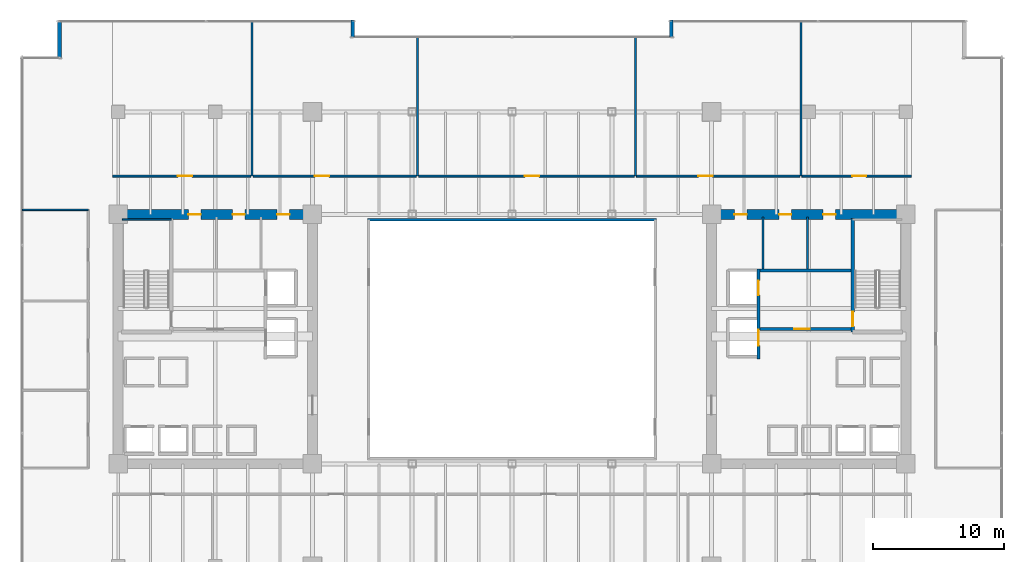
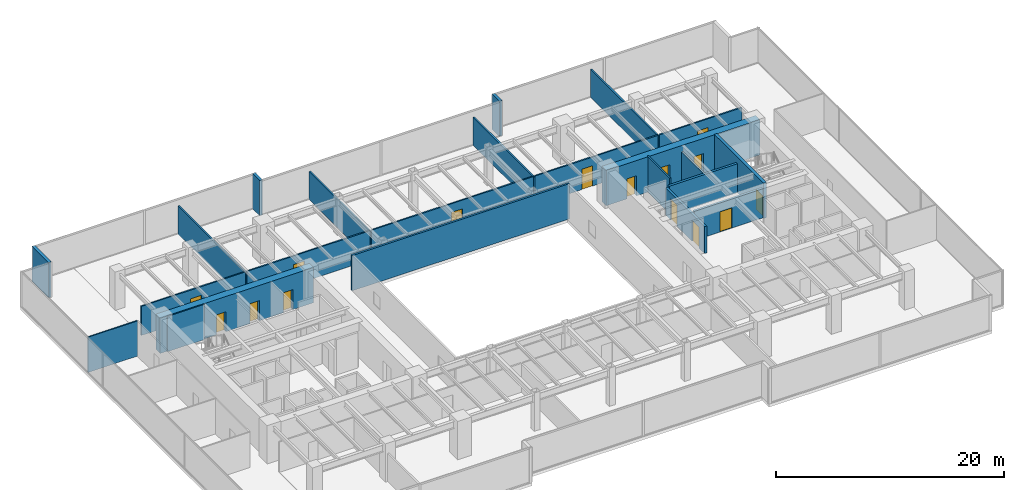
# One storey, part 31 of 37: 23 walls, 15 doors, 15 openings.
"""IFC4 building model written with IfcOpenShell, lengths in metres."""

from ifc_helpers import new_model, si_unit, direction, frame, frame_2d, origin, place, context, subcontext, project, spatial, rectangle, extrude, source, transform, mapped, material, layer, layer_set, type_object, type_shapes, element, fill, save


model = new_model("IFC4")

# Units and contexts
model_context = context("Model", 3, precision=1e-05, world=origin(), true_north=direction((0.0, 1.0)))
body_context = subcontext(model_context, "Body", "Model", "MODEL_VIEW")
ifc_project = project(units=[si_unit("LENGTHUNIT", "METRE"), si_unit("AREAUNIT", "SQUARE_METRE"), si_unit("VOLUMEUNIT", "CUBIC_METRE"), si_unit("PLANEANGLEUNIT", "RADIAN"), si_unit("MASSUNIT", "GRAM", prefix="KILO")], contexts=[model_context])

# Site, building, storey
site_placement = place(None, origin())
site = spatial("IfcSite", under=ifc_project, at=site_placement, CompositionType="ELEMENT")
building_placement = place(site_placement, origin())
building = spatial("IfcBuilding", under=site, at=building_placement, Name="Haelvirn Gate Laboratories", CompositionType="ELEMENT")
storey_placement = place(building_placement, frame((0.0, 0.0, 78.5)))
storey = spatial("IfcBuildingStorey", under=building, at=storey_placement, Name="L19", CompositionType="ELEMENT", Elevation=78.5)

# Walls
ifc_material_1 = material(Name="Thermally-broken bronze aluminium rainscreen & mineral wool", Category="aluminium")
ifc_layer_1 = layer(ifc_material_1, 0.280029296875, Name="EW-TERR-280")
ifc_layer_set_1 = layer_set([ifc_layer_1], Name="Thermally-broken bronze aluminium rainscreen & mineral wool")
wall_type_1 = type_object("IfcWallType", Name="EW-TERR-280", PredefinedType="STANDARD", material=ifc_layer_set_1)
for number, where, z_axis, x_axis, name in (
    (1, (49.5400390625, 48.60009765625, 0.0), (0.0, 0.0, 1.0), (0.0, -1.0, 0.0), "L19 Atrium Recess Bronze Return Wall 11"),
    (2, (25.260009765625, 47.31201171875, 0.0), (0.0, 0.0, 1.0), (0.0, 1.0, 0.0), "L19 Atrium Recess Bronze Return Wall 13"),
):
    element("IfcWall", number, at=place(storey_placement, frame(where, z_axis=z_axis, x_axis=x_axis)), inside=storey, type_object=wall_type_1, Name=name, PredefinedType="STANDARD", context=body_context, shape_type="SweptSolid", body=[
        extrude(rectangle(XDim=1.2880859375, YDim=0.280029296875, at=frame_2d((0.64404296875, 0.0))), origin(), (0.0, 0.0, 1.0), 3.780029296875),
    ])
wall_1_placement = place(storey_placement, frame((2.93994140625, 48.60009765625, 0.0), z_axis=(0.0, 0.0, 1.0), x_axis=(0.0, -1.0, 0.0)))
element("IfcWall", 3, at=wall_1_placement, inside=storey, type_object=wall_type_1, Name="L19 Atrium Recess Bronze Return Wall 15", PredefinedType="STANDARD", context=body_context, shape_type="SweptSolid", body=[
    extrude(rectangle(XDim=2.88818359375, YDim=0.280029296875, at=frame_2d((1.444091796875, 0.0))), origin(), (0.0, 0.0, 1.0), 3.780029296875),
])
ifc_material_2 = material(Name="Double-layer acoustic gypsum laboratory partition", Category="gypsum")
ifc_layer_2 = layer(ifc_material_2, 0.159912109375, Name="IW-ACOUST-160")
ifc_layer_set_2 = layer_set([ifc_layer_2], Name="Double-layer acoustic gypsum laboratory partition")
wall_type_2 = type_object("IfcWallType", Name="IW-ACOUST-160", PredefinedType="PARTITIONING", material=ifc_layer_set_2)
wall_2_placement = place(storey_placement, frame((17.60009765625, 36.7099609375, 0.0), z_axis=(0.0, 0.0, 1.0), x_axis=(0.0, 1.0, 0.0)))
element("IfcWall", 4, at=wall_2_placement, inside=storey, type_object=wall_type_2, Name="L19 Interior Wall IW-L19-NDIV-01", PredefinedType="PARTITIONING", context=body_context, shape_type="SweptSolid", body=[
    extrude(rectangle(XDim=11.780029296875, YDim=0.159912109375, at=frame_2d((5.89013671875, 0.0))), origin(), (0.0, 0.0, 1.0), 3.014892578125),
])
for number, where, z_axis, x_axis, name in (
    (5, (30.199951171875, 36.7099609375, 0.0), (0.0, 0.0, 1.0), (0.0, 1.0, 0.0), "L19 Interior Wall IW-L19-NDIV-02"),
    (6, (46.800048828125, 36.7099609375, 0.0), (0.0, 0.0, 1.0), (0.0, 1.0, 0.0), "L19 Interior Wall IW-L19-NDIV-03"),
):
    element("IfcWall", number, at=place(storey_placement, frame(where, z_axis=z_axis, x_axis=x_axis)), inside=storey, type_object=wall_type_2, Name=name, PredefinedType="PARTITIONING", context=body_context, shape_type="SweptSolid", body=[
        extrude(rectangle(XDim=10.580078125, YDim=0.159912109375, at=frame_2d((5.2900390625, 0.0))), origin(), (0.0, 0.0, 1.0), 3.014892578125),
    ])
wall_3_placement = place(storey_placement, frame((59.39990234375, 36.7099609375, 0.0), z_axis=(0.0, 0.0, 1.0), x_axis=(0.0, 1.0, 0.0)))
element("IfcWall", 7, at=wall_3_placement, inside=storey, type_object=wall_type_2, Name="L19 Interior Wall IW-L19-NDIV-04", PredefinedType="PARTITIONING", context=body_context, shape_type="SweptSolid", body=[
    extrude(rectangle(XDim=11.780029296875, YDim=0.159912109375, at=frame_2d((5.89013671875, 0.0))), origin(), (0.0, 0.0, 1.0), 3.014892578125),
])
ifc_material_3 = material(Name="Tempered fire-rated borosilicate glass & anodised aluminium", Category="aluminium")
ifc_layer_3 = layer(ifc_material_3, 0.195068359375, Name="IW-GLAZ-200")
ifc_layer_set_3 = layer_set([ifc_layer_3], Name="Tempered fire-rated borosilicate glass & anodised aluminium")
wall_type_3 = type_object("IfcWallType", Name="IW-GLAZ-200", PredefinedType="SOLIDWALL", material=ifc_layer_set_3)
wall_4_placement = place(storey_placement, frame((26.39990234375, 33.39990234375, 0.0), z_axis=(0.0, 0.0, 1.0), x_axis=(1.0, 0.0, 0.0)))
element("IfcWall", 8, at=wall_4_placement, inside=storey, type_object=wall_type_3, Name="L19 Interior Wall IW-L19-ATRIUM-N", PredefinedType="SOLIDWALL", context=body_context, shape_type="SweptSolid", body=[
    extrude(rectangle(XDim=22.0, YDim=0.195068359375, at=frame_2d((11.0, 0.0))), origin(), (0.0, 0.0, 1.0), 3.780029296875),
])
ifc_material_4 = material(Name="Lightweight acoustic gypsum board partition", Category="gypsum")
ifc_layer_4 = layer(ifc_material_4, 0.1201171875, Name="IW-PART-120")
ifc_layer_set_4 = layer_set([ifc_layer_4], Name="Lightweight acoustic gypsum board partition")
wall_type_4 = type_object("IfcWallType", Name="IW-PART-120", PredefinedType="PARTITIONING", material=ifc_layer_set_4)
wall_5_placement = place(storey_placement, frame((0.110107421875, 34.135009765625, 0.0), z_axis=(0.0, 0.0, 1.0), x_axis=(1.0, 0.0, 0.0)))
element("IfcWall", 9, at=wall_5_placement, inside=storey, type_object=wall_type_4, Name="L19 Interior Wall IW-L19-WCAP-N", PredefinedType="PARTITIONING", context=body_context, shape_type="SweptSolid", body=[
    extrude(rectangle(XDim=5.019775390625, YDim=0.1201171875, at=frame_2d((2.509765625, 0.0))), origin(), (0.0, 0.0, 1.0), 3.780029296875),
])

# Wall, opening, door
ifc_material_5 = material(Name="Acoustic mineral-wool gypsum board partition", Category="gypsum")
ifc_layer_5 = layer(ifc_material_5, 0.139892578125, Name="IW-PART-140")
ifc_layer_set_5 = layer_set([ifc_layer_5], Name="Acoustic mineral-wool gypsum board partition")
wall_type_5 = type_object("IfcWallType", Name="IW-PART-140", PredefinedType="PARTITIONING", material=ifc_layer_set_5)
wall_6_placement = place(storey_placement, frame((6.97998046875, 36.7099609375, 0.0), z_axis=(0.0, 0.0, 1.0), x_axis=(1.0, 0.0, 0.0)))
wall_6 = element("IfcWall", 10, at=wall_6_placement, inside=storey, type_object=wall_type_5, Name="L19 Interior Wall IW-L19-NCORR-01", PredefinedType="PARTITIONING", context=body_context, shape_type="SweptSolid", body=[
    extrude(rectangle(XDim=10.5400390625, YDim=0.139892578125, at=frame_2d((5.27001953125, 0.0))), origin(), (0.0, 0.0, 1.0), 3.114990234375),
])
opening_1_placement = place(wall_6_placement, frame((4.982177734375, 0.0, 0.0)))
opening_1 = element("IfcOpeningElement", 11, at=opening_1_placement, cuts=wall_6, Name="Opening D1", PredefinedType="OPENING", context=body_context, shape_type="SweptSolid", body=[
    extrude(rectangle(XDim=1.10009765625, YDim=2.179931640625, at=frame_2d((0.550048828125, 1.08984375))), frame((0.0, 0.080078125, 0.0), z_axis=(0.0, -1.0, 0.0), x_axis=(1.0, 0.0, 0.0)), (0.0, 0.0, 1.0), 0.159912109375),
])
ifc_material_6 = material(Name="Vision-panel acoustic solid-core timber lab door", Category="wood")
door_type_1 = type_object("IfcDoorType", Name="DR-LAB-1100", OperationType="NOTDEFINED", PredefinedType="DOOR", material=ifc_material_6)
shared_shape_1 = source(origin(), body_context, "Body", "SweptSolid", [
    extrude(rectangle(XDim=1.10009765625, YDim=2.179931640625, at=frame_2d((0.550048828125, 1.08984375))), frame((0.0, 0.02490234375, 0.0), z_axis=(0.0, -1.0, 0.0), x_axis=(1.0, 0.0, 0.0)), (0.0, 0.0, 1.0), 0.050048828125),
])
type_shapes(door_type_1, [shared_shape_1])
door_1_placement = place(opening_1_placement, origin())
door_1 = element("IfcDoor", 12, at=door_1_placement, inside=storey, type_object=door_type_1, Name="L19 Researcher Break Pantry Door N1", OperationType="SINGLE_SWING_LEFT", OverallHeight=2.179931640625, OverallWidth=1.10009765625, PredefinedType="DOOR", context=body_context, shape_type="MappedRepresentation", body=[
    mapped(shared_shape_1, transform((0.0, 0.0, 0.0), scale=1.0)),
])
fill(opening_1, door_1)

wall_7_placement = place(storey_placement, frame((17.679931640625, 36.7099609375, 0.0), z_axis=(0.0, 0.0, 1.0), x_axis=(1.0, 0.0, 0.0)))
wall_7 = element("IfcWall", 13, at=wall_7_placement, inside=storey, type_object=wall_type_5, Name="L19 Interior Wall IW-L19-NCORR-02", PredefinedType="PARTITIONING", context=body_context, shape_type="SweptSolid", body=[
    extrude(rectangle(XDim=12.440185546875, YDim=0.139892578125, at=frame_2d((6.22021484375, 0.0))), origin(), (0.0, 0.0, 1.0), 3.114990234375),
])
opening_2_placement = place(wall_7_placement, frame((4.71240234375, 0.0, 0.0)))
opening_2 = element("IfcOpeningElement", 14, at=opening_2_placement, cuts=wall_7, Name="Opening D1", PredefinedType="OPENING", context=body_context, shape_type="SweptSolid", body=[
    extrude(rectangle(XDim=1.10009765625, YDim=2.179931640625, at=frame_2d((0.550048828125, 1.08984375))), frame((0.0, 0.080078125, 0.0), z_axis=(0.0, -1.0, 0.0), x_axis=(1.0, 0.0, 0.0)), (0.0, 0.0, 1.0), 0.159912109375),
])
door_2_placement = place(opening_2_placement, origin())
door_2 = element("IfcDoor", 15, at=door_2_placement, inside=storey, type_object=door_type_1, Name="L19 Floor Hydration & Tea Servery Door N2", OperationType="SINGLE_SWING_RIGHT", OverallHeight=2.179931640625, OverallWidth=1.10009765625, PredefinedType="DOOR", context=body_context, shape_type="MappedRepresentation", body=[
    mapped(shared_shape_1, transform((0.0, 0.0, 0.0), scale=1.0)),
])
fill(opening_2, door_2)

wall_8_placement = place(storey_placement, frame((30.280029296875, 36.7099609375, 0.0), z_axis=(0.0, 0.0, 1.0), x_axis=(1.0, 0.0, 0.0)))
wall_8 = element("IfcWall", 16, at=wall_8_placement, inside=storey, type_object=wall_type_5, Name="L19 Interior Wall IW-L19-NCORR-03", PredefinedType="PARTITIONING", context=body_context, shape_type="SweptSolid", body=[
    extrude(rectangle(XDim=16.43994140625, YDim=0.139892578125, at=frame_2d((8.219970703125, 0.0))), origin(), (0.0, 0.0, 1.0), 3.114990234375),
])
opening_3_placement = place(wall_8_placement, frame((8.109130859375, 0.0, 0.0)))
opening_3 = element("IfcOpeningElement", 17, at=opening_3_placement, cuts=wall_8, Name="Opening D1", PredefinedType="OPENING", context=body_context, shape_type="SweptSolid", body=[
    extrude(rectangle(XDim=1.10009765625, YDim=2.179931640625, at=frame_2d((0.550048828125, 1.08984375))), frame((0.0, 0.080078125, 0.0), z_axis=(0.0, -1.0, 0.0), x_axis=(1.0, 0.0, 0.0)), (0.0, 0.0, 1.0), 0.159912109375),
])
door_3_placement = place(opening_3_placement, origin())
door_3 = element("IfcDoor", 18, at=door_3_placement, inside=storey, type_object=door_type_1, Name="L19 Bioinformatics Dry-Lab Workspace Door N3", OperationType="SINGLE_SWING_LEFT", OverallHeight=2.179931640625, OverallWidth=1.10009765625, PredefinedType="DOOR", context=body_context, shape_type="MappedRepresentation", body=[
    mapped(shared_shape_1, transform((0.0, 0.0, 0.0), scale=1.0)),
])
fill(opening_3, door_3)

wall_9_placement = place(storey_placement, frame((46.8798828125, 36.7099609375, 0.0), z_axis=(0.0, 0.0, 1.0), x_axis=(1.0, 0.0, 0.0)))
wall_9 = element("IfcWall", 19, at=wall_9_placement, inside=storey, type_object=wall_type_5, Name="L19 Interior Wall IW-L19-NCORR-04", PredefinedType="PARTITIONING", context=body_context, shape_type="SweptSolid", body=[
    extrude(rectangle(XDim=12.440185546875, YDim=0.139892578125, at=frame_2d((6.22021484375, 0.0))), origin(), (0.0, 0.0, 1.0), 3.114990234375),
])
opening_4_placement = place(wall_9_placement, frame((4.71240234375, 0.0, 0.0)))
opening_4 = element("IfcOpeningElement", 20, at=opening_4_placement, cuts=wall_9, Name="Opening D1", PredefinedType="OPENING", context=body_context, shape_type="SweptSolid", body=[
    extrude(rectangle(XDim=1.10009765625, YDim=2.179931640625, at=frame_2d((0.550048828125, 1.08984375))), frame((0.0, 0.080078125, 0.0), z_axis=(0.0, -1.0, 0.0), x_axis=(1.0, 0.0, 0.0)), (0.0, 0.0, 1.0), 0.159912109375),
])
door_4_placement = place(opening_4_placement, origin())
door_4 = element("IfcDoor", 21, at=door_4_placement, inside=storey, type_object=door_type_1, Name="L19 Translational Data Office Door N4", OperationType="SINGLE_SWING_RIGHT", OverallHeight=2.179931640625, OverallWidth=1.10009765625, PredefinedType="DOOR", context=body_context, shape_type="MappedRepresentation", body=[
    mapped(shared_shape_1, transform((0.0, 0.0, 0.0), scale=1.0)),
])
fill(opening_4, door_4)

wall_10_placement = place(storey_placement, frame((59.47998046875, 36.7099609375, 0.0), z_axis=(0.0, 0.0, 1.0), x_axis=(1.0, 0.0, 0.0)))
wall_10 = element("IfcWall", 22, at=wall_10_placement, inside=storey, type_object=wall_type_5, Name="L19 Interior Wall IW-L19-NCORR-05", PredefinedType="PARTITIONING", context=body_context, shape_type="SweptSolid", body=[
    extrude(rectangle(XDim=8.340087890625, YDim=0.139892578125, at=frame_2d((4.169921875, 0.0))), origin(), (0.0, 0.0, 1.0), 3.114990234375),
])
opening_5_placement = place(wall_10_placement, frame((3.816162109375, 0.0, 0.0)))
opening_5 = element("IfcOpeningElement", 23, at=opening_5_placement, cuts=wall_10, Name="Opening D1", PredefinedType="OPENING", context=body_context, shape_type="SweptSolid", body=[
    extrude(rectangle(XDim=1.10009765625, YDim=2.179931640625, at=frame_2d((0.550048828125, 1.08984375))), frame((0.0, 0.080078125, 0.0), z_axis=(0.0, -1.0, 0.0), x_axis=(1.0, 0.0, 0.0)), (0.0, 0.0, 1.0), 0.159912109375),
])
door_5_placement = place(opening_5_placement, origin())
door_5 = element("IfcDoor", 24, at=door_5_placement, inside=storey, type_object=door_type_1, Name="L19 Genomics Assay Laboratory Door N5", OperationType="SINGLE_SWING_LEFT", OverallHeight=2.179931640625, OverallWidth=1.10009765625, PredefinedType="DOOR", context=body_context, shape_type="MappedRepresentation", body=[
    mapped(shared_shape_1, transform((0.0, 0.0, 0.0), scale=1.0)),
])
fill(opening_5, door_5)

# Walls
ifc_material_7 = material(Name="Cement-board restroom plumbing chase wall", Category="gypsum")
ifc_layer_6 = layer(ifc_material_7, 0.155029296875, Name="IW-PLUMB-160")
ifc_layer_set_6 = layer_set([ifc_layer_6], Name="Cement-board restroom plumbing chase wall")
wall_type_6 = type_object("IfcWallType", Name="IW-PLUMB-160", PredefinedType="PLUMBINGWALL", material=ifc_layer_set_6)
wall_11_placement = place(storey_placement, frame((59.909912109375, 29.64990234375, 0.0), z_axis=(0.0, 0.0, 1.0), x_axis=(0.0, 1.0, 0.0)))
element("IfcWall", 25, at=wall_11_placement, inside=storey, type_object=wall_type_6, Name="L19 Interior Wall IW-L19-E-CDIV-1", PredefinedType="PLUMBINGWALL", context=body_context, shape_type="SweptSolid", body=[
    extrude(rectangle(XDim=3.93017578125, YDim=0.155029296875, at=frame_2d((1.965087890625, 0.0))), origin(), (0.0, 0.0, 1.0), 3.114990234375),
])
wall_12_placement = place(storey_placement, frame((56.510009765625, 29.64990234375, 0.0), z_axis=(0.0, 0.0, 1.0), x_axis=(0.0, 1.0, 0.0)))
element("IfcWall", 26, at=wall_12_placement, inside=storey, type_object=wall_type_6, Name="L19 Interior Wall IW-L19-E-CDIV-2", PredefinedType="PLUMBINGWALL", context=body_context, shape_type="SweptSolid", body=[
    extrude(rectangle(XDim=3.93017578125, YDim=0.155029296875, at=frame_2d((1.965087890625, 0.0))), origin(), (0.0, 0.0, 1.0), 3.780029296875),
])

# Wall, opening, door
ifc_material_8 = material(Name="Concrete C40/50", Category="concrete")
ifc_layer_7 = layer(ifc_material_8, 0.239990234375, Name="IW-SHAFT-240")
ifc_layer_set_7 = layer_set([ifc_layer_7], Name="Concrete C40/50")
wall_type_7 = type_object("IfcWallType", Name="IW-SHAFT-240", PredefinedType="SOLIDWALL", material=ifc_layer_set_7)
wall_13_placement = place(storey_placement, frame((56.280029296875, 25.080078125, 0.0), z_axis=(0.0, 0.0, 1.0), x_axis=(1.0, 0.0, 0.0)))
wall_13 = element("IfcWall", 27, at=wall_13_placement, inside=storey, type_object=wall_type_7, Name="L19 Interior Wall IW-L19-E-FF-S", PredefinedType="SOLIDWALL", context=body_context, shape_type="SweptSolid", body=[
    extrude(rectangle(XDim=6.919921875, YDim=0.239990234375, at=frame_2d((3.4599609375, 0.0))), origin(), (0.0, 0.0, 1.0), 3.114990234375),
])
opening_6_placement = place(wall_13_placement, frame((2.60009765625, 0.0, 0.0)))
opening_6 = element("IfcOpeningElement", 28, at=opening_6_placement, cuts=wall_13, Name="Opening FD2", PredefinedType="OPENING", context=body_context, shape_type="SweptSolid", body=[
    extrude(rectangle(XDim=1.199951171875, YDim=2.159912109375, at=frame_2d((0.60009765625, 1.080078125))), frame((0.0, 0.1298828125, 0.0), z_axis=(0.0, -1.0, 0.0), x_axis=(1.0, 0.0, 0.0)), (0.0, 0.0, 1.0), 0.260009765625),
])
ifc_material_9 = material(Name="Fire-rated steel SM355 compartment door", Category="steel")
door_type_2 = type_object("IfcDoorType", Name="DR-FD-1200", OperationType="NOTDEFINED", PredefinedType="DOOR", material=ifc_material_9)
shared_shape_2 = source(origin(), body_context, "Body", "SweptSolid", [
    extrude(rectangle(XDim=1.199951171875, YDim=2.159912109375, at=frame_2d((0.60009765625, 1.080078125))), frame((0.0, 0.02490234375, 0.0), z_axis=(0.0, -1.0, 0.0), x_axis=(1.0, 0.0, 0.0)), (0.0, 0.0, 1.0), 0.050048828125),
])
type_shapes(door_type_2, [shared_shape_2])
door_6_placement = place(opening_6_placement, origin())
door_6 = element("IfcDoor", 29, at=door_6_placement, inside=storey, type_object=door_type_2, Name="L19 East Firefighting Lobby Door", OperationType="SINGLE_SWING_LEFT", OverallHeight=2.159912109375, OverallWidth=1.199951171875, PredefinedType="DOOR", context=body_context, shape_type="MappedRepresentation", body=[
    mapped(shared_shape_2, transform((0.0, 0.0, 0.0), scale=1.0)),
])
fill(opening_6, door_6)

# Wall
wall_14_placement = place(storey_placement, frame((56.280029296875, 29.52001953125, 0.0), z_axis=(0.0, 0.0, 1.0), x_axis=(1.0, 0.0, 0.0)))
element("IfcWall", 30, at=wall_14_placement, inside=storey, type_object=wall_type_7, Name="L19 Interior Wall IW-L19-E-FF-N", PredefinedType="SOLIDWALL", context=body_context, shape_type="SweptSolid", body=[
    extrude(rectangle(XDim=6.919921875, YDim=0.239990234375, at=frame_2d((3.4599609375, 0.0))), origin(), (0.0, 0.0, 1.0), 3.114990234375),
])

# Wall, openings, doors
wall_15_placement = place(storey_placement, frame((56.159912109375, 22.800048828125, 0.0), z_axis=(0.0, 0.0, 1.0), x_axis=(0.0, 1.0, 0.0)))
wall_15 = element("IfcWall", 31, at=wall_15_placement, inside=storey, type_object=wall_type_7, Name="L19 Interior Wall IW-L19-E-FF-E", PredefinedType="SOLIDWALL", context=body_context, shape_type="SweptSolid", body=[
    extrude(rectangle(XDim=6.849853515625, YDim=0.239990234375, at=frame_2d((3.4248046875, 0.0))), origin(), (0.0, 0.0, 1.0), 2.864990234375),
])
opening_7_placement = place(wall_15_placement, frame((4.85009765625, 0.0, 0.0)))
opening_7 = element("IfcOpeningElement", 32, at=opening_7_placement, cuts=wall_15, Name="Opening LD2", PredefinedType="OPENING", context=body_context, shape_type="SweptSolid", body=[
    extrude(rectangle(XDim=1.10009765625, YDim=2.219970703125, at=frame_2d((0.550048828125, 1.10986328125))), frame((0.0, 0.1298828125, 0.0), z_axis=(0.0, -1.0, 0.0), x_axis=(1.0, 0.0, 0.0)), (0.0, 0.0, 1.0), 0.260009765625),
])
opening_8_placement = place(wall_15_placement, frame((1.0, 0.0, 0.0)))
opening_8 = element("IfcOpeningElement", 33, at=opening_8_placement, cuts=wall_15, Name="Opening LD1", PredefinedType="OPENING", context=body_context, shape_type="SweptSolid", body=[
    extrude(rectangle(XDim=1.199951171875, YDim=2.219970703125, at=frame_2d((0.60009765625, 1.10986328125))), frame((0.0, 0.1298828125, 0.0), z_axis=(0.0, -1.0, 0.0), x_axis=(1.0, 0.0, 0.0)), (0.0, 0.0, 1.0), 0.260009765625),
])
ifc_material_10 = material(Name="Bronze stainless 316L sliding lift landing door")
door_type_3 = type_object("IfcDoorType", Name="DR-LD-1100", OperationType="NOTDEFINED", PredefinedType="USERDEFINED", material=ifc_material_10)
shared_shape_3 = source(origin(), body_context, "Body", "SweptSolid", [
    extrude(rectangle(XDim=1.10009765625, YDim=2.219970703125, at=frame_2d((0.550048828125, 1.10986328125))), frame((0.0, 0.02490234375, 0.0), z_axis=(0.0, -1.0, 0.0), x_axis=(1.0, 0.0, 0.0)), (0.0, 0.0, 1.0), 0.050048828125),
])
type_shapes(door_type_3, [shared_shape_3])
door_7_placement = place(opening_7_placement, origin())
door_7 = element("IfcDoor", 34, at=door_7_placement, inside=storey, type_object=door_type_3, Name="L19 Firefighting Lift FL2 Landing Door", ObjectType="LANDING_DOOR", OperationType="SLIDING_TO_RIGHT", OverallHeight=2.219970703125, OverallWidth=1.10009765625, PredefinedType="USERDEFINED", context=body_context, shape_type="MappedRepresentation", body=[
    mapped(shared_shape_3, transform((0.0, 0.0, 0.0), scale=1.0)),
])
fill(opening_7, door_7)
ifc_material_11 = material(Name="Stainless steel 316L sliding goods landing door", Category="steel")
door_type_4 = type_object("IfcDoorType", Name="DR-LD-1200", OperationType="NOTDEFINED", PredefinedType="USERDEFINED", material=ifc_material_11)
shared_shape_4 = source(origin(), body_context, "Body", "SweptSolid", [
    extrude(rectangle(XDim=1.199951171875, YDim=2.219970703125, at=frame_2d((0.60009765625, 1.10986328125))), frame((0.0, 0.02490234375, 0.0), z_axis=(0.0, -1.0, 0.0), x_axis=(1.0, 0.0, 0.0)), (0.0, 0.0, 1.0), 0.050048828125),
])
type_shapes(door_type_4, [shared_shape_4])
door_8_placement = place(opening_8_placement, origin())
door_8 = element("IfcDoor", 35, at=door_8_placement, inside=storey, type_object=door_type_4, Name="L19 Service Lift SL2 Landing Door", ObjectType="LANDING_DOOR", OperationType="SLIDING_TO_LEFT", OverallHeight=2.219970703125, OverallWidth=1.199951171875, PredefinedType="USERDEFINED", context=body_context, shape_type="MappedRepresentation", body=[
    mapped(shared_shape_4, transform((0.0, 0.0, 0.0), scale=1.0)),
])
fill(opening_8, door_8)

ifc_material_12 = material(Name="Concrete C70/85", Category="concrete")
ifc_layer_8 = layer(ifc_material_12, 0.75, Name="SW-CORE-750")
ifc_layer_set_8 = layer_set([ifc_layer_8], Name="Concrete C70/85")
wall_type_8 = type_object("IfcWallType", Name="SW-CORE-750", PredefinedType="SHEAR", material=ifc_layer_set_8)
wall_16_placement = place(storey_placement, frame((7.02490234375, 33.800048828125, 0.0), z_axis=(0.0, 0.0, 1.0), x_axis=(1.0, 0.0, 0.0)))
wall_16 = element("IfcWall", 36, at=wall_16_placement, inside=storey, type_object=wall_type_8, Name="L19 W Core Shear Wall N", PredefinedType="SHEAR", context=body_context, shape_type="SweptSolid", body=[
    extrude(rectangle(XDim=15.550048828125, YDim=0.75, at=frame_2d((7.77490234375, 0.0))), origin(), (0.0, 0.0, 1.0), 3.780029296875),
])
opening_9_placement = place(wall_16_placement, frame((5.72509765625, 0.0, 0.0)))
opening_9 = element("IfcOpeningElement", 37, at=opening_9_placement, cuts=wall_16, Name="Opening FD4", PredefinedType="OPENING", context=body_context, shape_type="SweptSolid", body=[
    extrude(rectangle(XDim=0.949951171875, YDim=2.14990234375, at=frame_2d((0.47509765625, 1.074951171875))), frame((0.0, 0.385009765625, 0.0), z_axis=(0.0, -1.0, 0.0), x_axis=(1.0, 0.0, 0.0)), (0.0, 0.0, 1.0), 0.77001953125),
])
opening_10_placement = place(wall_16_placement, frame((9.090087890625, 0.0, 0.0)))
opening_10 = element("IfcOpeningElement", 38, at=opening_10_placement, cuts=wall_16, Name="Opening FD4", PredefinedType="OPENING", context=body_context, shape_type="SweptSolid", body=[
    extrude(rectangle(XDim=0.949951171875, YDim=2.14990234375, at=frame_2d((0.47509765625, 1.074951171875))), frame((0.0, 0.385009765625, 0.0), z_axis=(0.0, -1.0, 0.0), x_axis=(1.0, 0.0, 0.0)), (0.0, 0.0, 1.0), 0.77001953125),
])
opening_11_placement = place(wall_16_placement, frame((12.489990234375, 0.0, 0.0)))
opening_11 = element("IfcOpeningElement", 39, at=opening_11_placement, cuts=wall_16, Name="Opening FD4", PredefinedType="OPENING", context=body_context, shape_type="SweptSolid", body=[
    extrude(rectangle(XDim=0.949951171875, YDim=2.14990234375, at=frame_2d((0.47509765625, 1.074951171875))), frame((0.0, 0.385009765625, 0.0), z_axis=(0.0, -1.0, 0.0), x_axis=(1.0, 0.0, 0.0)), (0.0, 0.0, 1.0), 0.77001953125),
])
ifc_material_13 = material(Name="Fire-rated steel SM355 core service door", Category="steel")
door_type_5 = type_object("IfcDoorType", Name="DR-FD-950", OperationType="NOTDEFINED", PredefinedType="DOOR", material=ifc_material_13)
shared_shape_5 = source(origin(), body_context, "Body", "SweptSolid", [
    extrude(rectangle(XDim=0.949951171875, YDim=2.14990234375, at=frame_2d((0.47509765625, 1.074951171875))), frame((0.0, 0.02490234375, 0.0), z_axis=(0.0, -1.0, 0.0), x_axis=(1.0, 0.0, 0.0)), (0.0, 0.0, 1.0), 0.050048828125),
])
type_shapes(door_type_5, [shared_shape_5])
door_9_placement = place(opening_9_placement, origin())
door_9 = element("IfcDoor", 40, at=door_9_placement, inside=storey, type_object=door_type_5, Name="L19 Male Restroom Fire Door", OperationType="SINGLE_SWING_RIGHT", OverallHeight=2.14990234375, OverallWidth=0.949951171875, PredefinedType="DOOR", context=body_context, shape_type="MappedRepresentation", body=[
    mapped(shared_shape_5, transform((0.0, 0.0, 0.0), scale=1.0)),
])
fill(opening_9, door_9)
door_10_placement = place(opening_10_placement, origin())
door_10 = element("IfcDoor", 41, at=door_10_placement, inside=storey, type_object=door_type_5, Name="L19 Female Restroom Fire Door", OperationType="SINGLE_SWING_LEFT", OverallHeight=2.14990234375, OverallWidth=0.949951171875, PredefinedType="DOOR", context=body_context, shape_type="MappedRepresentation", body=[
    mapped(shared_shape_5, transform((0.0, 0.0, 0.0), scale=1.0)),
])
fill(opening_10, door_10)
door_11_placement = place(opening_11_placement, origin())
door_11 = element("IfcDoor", 42, at=door_11_placement, inside=storey, type_object=door_type_5, Name="L19 Accessible Restroom Fire Door", OperationType="SINGLE_SWING_RIGHT", OverallHeight=2.14990234375, OverallWidth=0.949951171875, PredefinedType="DOOR", context=body_context, shape_type="MappedRepresentation", body=[
    mapped(shared_shape_5, transform((0.0, 0.0, 0.0), scale=1.0)),
])
fill(opening_11, door_11)

wall_17_placement = place(storey_placement, frame((52.22509765625, 33.800048828125, 0.0), z_axis=(0.0, 0.0, 1.0), x_axis=(1.0, 0.0, 0.0)))
wall_17 = element("IfcWall", 43, at=wall_17_placement, inside=storey, type_object=wall_type_8, Name="L19 E Core Shear Wall N", PredefinedType="SHEAR", context=body_context, shape_type="SweptSolid", body=[
    extrude(rectangle(XDim=15.5498046875, YDim=0.75, at=frame_2d((7.77490234375, 0.0))), origin(), (0.0, 0.0, 1.0), 3.780029296875),
])
opening_12_placement = place(wall_17_placement, frame((8.875, 0.0, 0.0)))
opening_12 = element("IfcOpeningElement", 44, at=opening_12_placement, cuts=wall_17, Name="Opening FD4", PredefinedType="OPENING", context=body_context, shape_type="SweptSolid", body=[
    extrude(rectangle(XDim=0.949951171875, YDim=2.14990234375, at=frame_2d((0.47509765625, 1.074951171875))), frame((0.0, 0.385009765625, 0.0), z_axis=(0.0, -1.0, 0.0), x_axis=(1.0, 0.0, 0.0)), (0.0, 0.0, 1.0), 0.77001953125),
])
opening_13_placement = place(wall_17_placement, frame((5.510009765625, 0.0, 0.0)))
opening_13 = element("IfcOpeningElement", 45, at=opening_13_placement, cuts=wall_17, Name="Opening FD4", PredefinedType="OPENING", context=body_context, shape_type="SweptSolid", body=[
    extrude(rectangle(XDim=0.949951171875, YDim=2.14990234375, at=frame_2d((0.47509765625, 1.074951171875))), frame((0.0, 0.385009765625, 0.0), z_axis=(0.0, -1.0, 0.0), x_axis=(1.0, 0.0, 0.0)), (0.0, 0.0, 1.0), 0.77001953125),
])
opening_14_placement = place(wall_17_placement, frame((2.110107421875, 0.0, 0.0)))
opening_14 = element("IfcOpeningElement", 46, at=opening_14_placement, cuts=wall_17, Name="Opening FD4", PredefinedType="OPENING", context=body_context, shape_type="SweptSolid", body=[
    extrude(rectangle(XDim=0.949951171875, YDim=2.14990234375, at=frame_2d((0.47509765625, 1.074951171875))), frame((0.0, 0.385009765625, 0.0), z_axis=(0.0, -1.0, 0.0), x_axis=(1.0, 0.0, 0.0)), (0.0, 0.0, 1.0), 0.77001953125),
])
door_12_placement = place(opening_12_placement, origin())
door_12 = element("IfcDoor", 47, at=door_12_placement, inside=storey, type_object=door_type_5, Name="L19 Male Restroom Fire Door", OperationType="SINGLE_SWING_RIGHT", OverallHeight=2.14990234375, OverallWidth=0.949951171875, PredefinedType="DOOR", context=body_context, shape_type="MappedRepresentation", body=[
    mapped(shared_shape_5, transform((0.0, 0.0, 0.0), scale=1.0)),
])
fill(opening_12, door_12)
door_13_placement = place(opening_13_placement, origin())
door_13 = element("IfcDoor", 48, at=door_13_placement, inside=storey, type_object=door_type_5, Name="L19 Female Restroom Fire Door", OperationType="SINGLE_SWING_LEFT", OverallHeight=2.14990234375, OverallWidth=0.949951171875, PredefinedType="DOOR", context=body_context, shape_type="MappedRepresentation", body=[
    mapped(shared_shape_5, transform((0.0, 0.0, 0.0), scale=1.0)),
])
fill(opening_13, door_13)
door_14_placement = place(opening_14_placement, origin())
door_14 = element("IfcDoor", 49, at=door_14_placement, inside=storey, type_object=door_type_5, Name="L19 Accessible Restroom Fire Door", OperationType="SINGLE_SWING_RIGHT", OverallHeight=2.14990234375, OverallWidth=0.949951171875, PredefinedType="DOOR", context=body_context, shape_type="MappedRepresentation", body=[
    mapped(shared_shape_5, transform((0.0, 0.0, 0.0), scale=1.0)),
])
fill(opening_14, door_14)

# Wall
ifc_material_14 = material(Name="Concrete C50/60", Category="concrete")
ifc_layer_9 = layer(ifc_material_14, 0.1201171875, Name="SW-LINER-120")
ifc_layer_set_9 = layer_set([ifc_layer_9], Name="Concrete C50/60")
wall_type_9 = type_object("IfcWallType", Name="SW-LINER-120", PredefinedType="SOLIDWALL", material=ifc_layer_set_9)
wall_18_placement = place(storey_placement, frame((7.72998046875, 33.39990234375, 0.0), z_axis=(0.0, 0.0, 1.0), x_axis=(1.0, 0.0, 0.0)))
element("IfcWall", 50, at=wall_18_placement, inside=storey, type_object=wall_type_9, Name="L19 W Core Stair Shaft Liner Wall N", PredefinedType="SOLIDWALL", context=body_context, shape_type="SweptSolid", body=[
    extrude(rectangle(XDim=3.719970703125, YDim=0.1201171875, at=frame_2d((1.85986328125, 0.0))), origin(), (0.0, 0.0, 1.0), 3.780029296875),
])

# Wall, opening, door
ifc_layer_10 = layer(ifc_material_14, 0.300048828125, Name="SW-STAIR-300")
ifc_layer_set_10 = layer_set([ifc_layer_10], Name="Concrete C50/60")
wall_type_10 = type_object("IfcWallType", Name="SW-STAIR-300", PredefinedType="SHEAR", material=ifc_layer_set_10)
wall_19_placement = place(storey_placement, frame((63.35009765625, 24.85009765625, 0.0), z_axis=(0.0, 0.0, 1.0), x_axis=(0.0, 1.0, 0.0)))
wall_19 = element("IfcWall", 51, at=wall_19_placement, inside=storey, type_object=wall_type_10, Name="L19 E Core Stair Shaft Structural Wall IN", PredefinedType="SHEAR", context=body_context, shape_type="SweptSolid", body=[
    extrude(rectangle(XDim=8.6298828125, YDim=0.300048828125, at=frame_2d((4.31494140625, 0.0))), origin(), (0.0, 0.0, 1.0), 3.780029296875),
])
opening_15_placement = place(wall_19_placement, frame((0.419921875, 0.0, 0.0)))
opening_15 = element("IfcOpeningElement", 52, at=opening_15_placement, cuts=wall_19, Name="Opening FD3", PredefinedType="OPENING", context=body_context, shape_type="SweptSolid", body=[
    extrude(rectangle(XDim=1.10009765625, YDim=2.14990234375, at=frame_2d((0.550048828125, 1.074951171875))), frame((0.0, 0.16015625, 0.0), z_axis=(0.0, -1.0, 0.0), x_axis=(1.0, 0.0, 0.0)), (0.0, 0.0, 1.0), 0.320068359375),
])
ifc_material_15 = material(Name="Fire-rated steel SM355 escape stair door", Category="steel")
door_type_6 = type_object("IfcDoorType", Name="DR-FD-1100", OperationType="NOTDEFINED", PredefinedType="DOOR", material=ifc_material_15)
shared_shape_6 = source(origin(), body_context, "Body", "SweptSolid", [
    extrude(rectangle(XDim=1.10009765625, YDim=2.14990234375, at=frame_2d((0.550048828125, 1.074951171875))), frame((0.0, 0.02490234375, 0.0), z_axis=(0.0, -1.0, 0.0), x_axis=(1.0, 0.0, 0.0)), (0.0, 0.0, 1.0), 0.050048828125),
])
type_shapes(door_type_6, [shared_shape_6])
door_15_placement = place(opening_15_placement, origin())
door_15 = element("IfcDoor", 53, at=door_15_placement, inside=storey, type_object=door_type_6, Name="L19 Escape Stair ST2 Fire Door", OperationType="SINGLE_SWING_RIGHT", OverallHeight=2.14990234375, OverallWidth=1.10009765625, PredefinedType="DOOR", context=body_context, shape_type="MappedRepresentation", body=[
    mapped(shared_shape_6, transform((0.0, 0.0, 0.0), scale=1.0)),
])
fill(opening_15, door_15)

save(model, "model.ifc")
